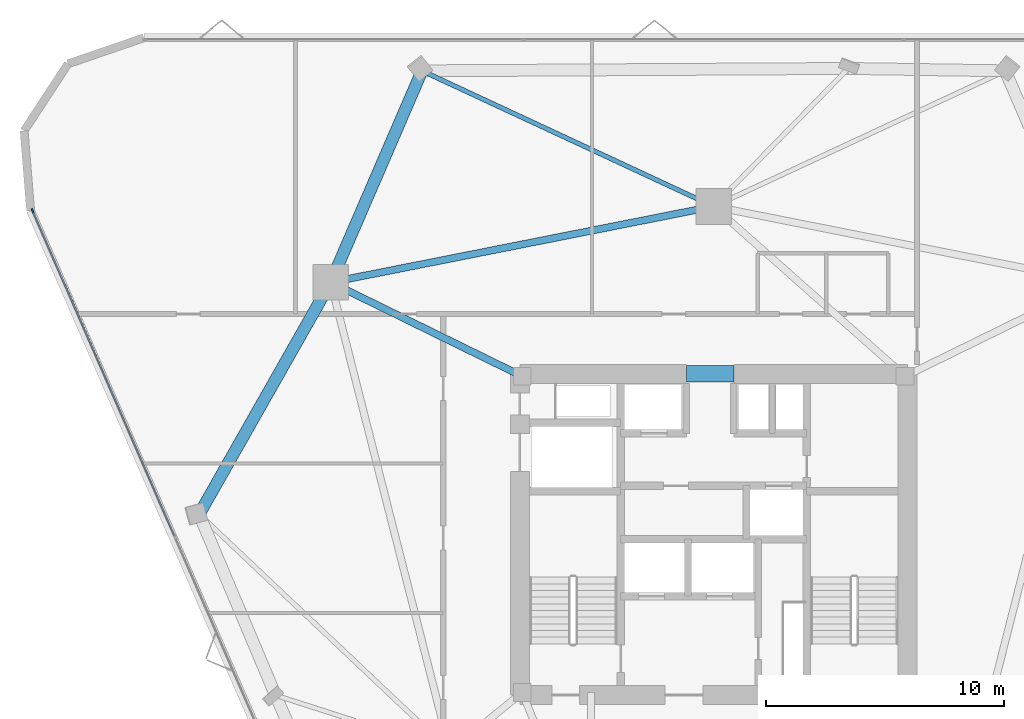
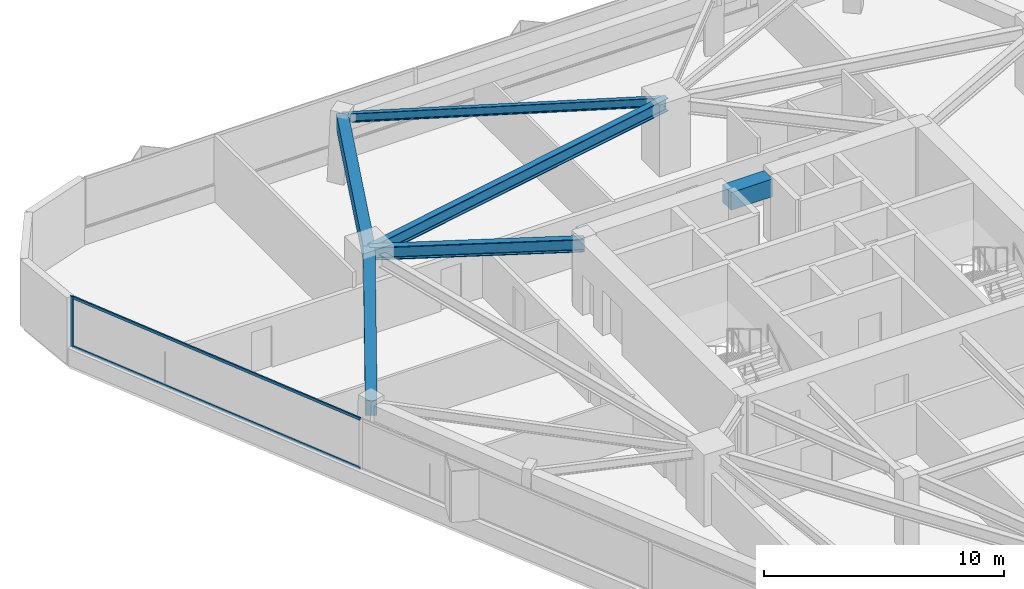
# One storey, part 5 of 14: 6 beams, 3 members, 1 element without a shape of its own.
"""IFC4 building model written with IfcOpenShell, lengths in metres."""

from ifc_helpers import new_model, si_unit, direction, frame, origin, origin_2d, place, context, subcontext, project, spatial, rectangle, i_section, extrude, material, layer, layer_set, material_profile, profile_set, type_object, element, aggregate, save


model = new_model("IFC4")

# Units and contexts
model_context = context("Model", 3, precision=1e-05, world=origin(), true_north=direction((0.0, 1.0)))
body_context = subcontext(model_context, "Body", "Model", "MODEL_VIEW")
ifc_project = project(units=[si_unit("LENGTHUNIT", "METRE"), si_unit("AREAUNIT", "SQUARE_METRE"), si_unit("VOLUMEUNIT", "CUBIC_METRE"), si_unit("PLANEANGLEUNIT", "RADIAN"), si_unit("MASSUNIT", "GRAM", prefix="KILO")], contexts=[model_context])

# Site, building, storey
site_placement = place(None, origin())
site = spatial("IfcSite", under=ifc_project, at=site_placement, CompositionType="ELEMENT")
building_placement = place(site_placement, origin())
building = spatial("IfcBuilding", under=site, at=building_placement, Name="Talyreon Biosciences Tower", CompositionType="ELEMENT")
storey_placement = place(building_placement, frame((0.0, 0.0, 141.800048828125)))
storey = spatial("IfcBuildingStorey", under=building, at=storey_placement, Name="L37", CompositionType="ELEMENT", Elevation=141.800048828125)

# Curtain wall, members
ifc_material_1 = material(Name="Thermally broken aluminium and low-E glazing", Category="aluminium")
ifc_layer = layer(ifc_material_1, 0.18505859375)
ifc_layer_set = layer_set([ifc_layer], Name="Thermally broken aluminium and low-E glazing")
curtain_wall_type = type_object("IfcCurtainWallType", Name="CurtainWall_Zone3Bioprocess", PredefinedType="NOTDEFINED", material=ifc_layer_set)
curtain_wall_placement = place(storey_placement, origin())
curtain_wall = element("IfcCurtainWall", 1, at=curtain_wall_placement, inside=storey, type_object=curtain_wall_type, Name="L37 Unitised Curtain Wall FCW-L37-00", PredefinedType="NOTDEFINED")
ifc_material_2 = material(Name="Anodised thermally broken aluminium", Category="aluminium")
ifc_material_profile_1 = material_profile(ifc_material_2, rectangle(XDim=0.06494140625, YDim=0.179931640625, at=origin_2d()), Name="ALUM MULLION 65x180")
ifc_profile_set_1 = profile_set([ifc_material_profile_1], Name="Anodised thermally broken aluminium")
member_type_1 = type_object("IfcMemberType", Name="CWMullion_65x180", PredefinedType="MULLION", material=ifc_profile_set_1)
member_1_placement = place(storey_placement, frame((37.362548828125, 81.609130859375, 0.81005859375), z_axis=(0.0, 0.0, 1.0), x_axis=(-0.916566441856, -0.399882429801, 0.0)))
member_1 = element("IfcMember", 2, at=member_1_placement, type_object=member_type_1, Name="CW4 mullion 5", PredefinedType="MULLION", context=body_context, shape_type="SweptSolid", body=[
    extrude(rectangle(XDim=0.06494140625, YDim=0.179931640625, at=origin_2d()), origin(), (0.0, 0.0, 1.0), 2.56494140625),
])
ifc_material_profile_2 = material_profile(ifc_material_2, rectangle(XDim=0.06494140625, YDim=0.139892578125, at=origin_2d()), Name="ALUM TRANSOM 65x140")
ifc_profile_set_2 = profile_set([ifc_material_profile_2], Name="Anodised thermally broken aluminium")
member_type_2 = type_object("IfcMemberType", Name="CWTransom_65x140", PredefinedType="USERDEFINED", material=ifc_profile_set_2)
member_2_placement = place(storey_placement, frame((43.325927734375, 67.940185546875, 0.842529296875), z_axis=(-0.39988306059, 0.916566166653, 0.0), x_axis=(-0.916566166653, -0.39988306059, 0.0)))
member_2 = element("IfcMember", 3, at=member_2_placement, type_object=member_type_2, Name="CW4 transom 4.1", ObjectType="TRANSOM", PredefinedType="USERDEFINED", context=body_context, shape_type="SweptSolid", body=[
    extrude(rectangle(XDim=0.06494140625, YDim=0.139892578125, at=origin_2d()), origin(), (0.0, 0.0, 1.0), 14.88037109375),
])
member_3_placement = place(storey_placement, frame((43.325927734375, 67.940185546875, 3.342529296875), z_axis=(-0.39988306059, 0.916566166653, 0.0), x_axis=(-0.916566166653, -0.39988306059, 0.0)))
member_3 = element("IfcMember", 4, at=member_3_placement, type_object=member_type_2, Name="CW4 transom 4.2", ObjectType="TRANSOM", PredefinedType="USERDEFINED", context=body_context, shape_type="SweptSolid", body=[
    extrude(rectangle(XDim=0.06494140625, YDim=0.139892578125, at=origin_2d()), origin(), (0.0, 0.0, 1.0), 14.88037109375),
])
aggregate(curtain_wall, [member_1, member_2, member_3])

# Beams
ifc_material_3 = material(Name="Concrete C60/75", Category="concrete")
ifc_material_profile_3 = material_profile(ifc_material_3, rectangle(XDim=0.699951171875, YDim=0.89990234375, at=origin_2d()), Name="RCB 700x900")
ifc_profile_set_3 = profile_set([ifc_material_profile_3], Name="Concrete C60/75")
beam_type_1 = type_object("IfcBeamType", Name="CoreCouplingLintel_700x900", PredefinedType="LINTEL", material=ifc_profile_set_3)
beam_1_placement = place(storey_placement, frame((64.85009765625, 74.75, 2.925048828125), z_axis=(1.0, 0.0, 0.0), x_axis=(0.0, 1.0, 0.0)))
element("IfcBeam", 5, at=beam_1_placement, inside=storey, type_object=beam_type_1, Name="L37 Core Coupling Lintel", PredefinedType="LINTEL", context=body_context, shape_type="SweptSolid", body=[
    extrude(rectangle(XDim=0.699951171875, YDim=0.89990234375, at=origin_2d()), origin(), (0.0, 0.0, 1.0), 2.0),
])
ifc_material_4 = material(Name="Precast concrete C45/55", Category="concrete")
ifc_material_profile_4 = material_profile(ifc_material_4, rectangle(XDim=0.5, YDim=0.780029296875, at=origin_2d()), Name="RCB 500x780")
ifc_profile_set_4 = profile_set([ifc_material_profile_4], Name="Precast concrete C45/55")
beam_type_2 = type_object("IfcBeamType", Name="ExpressedSpandrel_500x780", PredefinedType="SPANDREL", material=ifc_profile_set_4)
beam_2_placement = place(storey_placement, frame((53.738037109375, 87.49169921875, 2.98486328125), z_axis=(-0.396448568558, -0.918056933141, 0.0), x_axis=(0.918056933141, -0.396448568558, 0.0)))
element("IfcBeam", 6, at=beam_2_placement, inside=storey, type_object=beam_type_2, Name="L37 Expressed Horizontal Concrete Spandrel 08", PredefinedType="SPANDREL", context=body_context, shape_type="SweptSolid", body=[
    extrude(rectangle(XDim=0.5, YDim=0.780029296875, at=origin_2d()), origin(), (0.0, 0.0, 1.0), 9.686767578125),
])
beam_3_placement = place(storey_placement, frame((49.897705078125, 78.5986328125, 2.98486328125), z_axis=(-0.493348220157, -0.869831899661, 0.0), x_axis=(0.869831899661, -0.493348220157, 0.0)))
element("IfcBeam", 7, at=beam_3_placement, inside=storey, type_object=beam_type_2, Name="L37 Expressed Horizontal Concrete Spandrel 09", PredefinedType="SPANDREL", context=body_context, shape_type="SweptSolid", body=[
    extrude(rectangle(XDim=0.5, YDim=0.780029296875, at=origin_2d()), origin(), (0.0, 0.0, 1.0), 11.212158203125),
])
ifc_material_5 = material(Name="Steel SM355", Category="steel")
ifc_material_profile_5 = material_profile(ifc_material_5, i_section(OverallWidth=0.300048828125, OverallDepth=0.64990234375, WebThickness=0.01611328125, FlangeThickness=0.031005859375, FilletRadius=0.027099609375, at=origin_2d()), Name="HE650B")
ifc_profile_set_5 = profile_set([ifc_material_profile_5], Name="Steel SM355")
beam_type_3 = type_object("IfcBeamType", Name="SteelBeam_HE650B", PredefinedType="BEAM", material=ifc_profile_set_5)
beam_4_placement = place(storey_placement, frame((66.0, 81.788818359375, 3.050048828125), z_axis=(-0.980933730698, -0.194342522311, 0.0), x_axis=(0.194342522311, -0.980933730698, 0.0)))
element("IfcBeam", 8, at=beam_4_placement, inside=storey, type_object=beam_type_3, Name="L37 Mega-Ring Girder 4", PredefinedType="BEAM", context=body_context, shape_type="SweptSolid", body=[
    extrude(i_section(OverallWidth=0.300048828125, OverallDepth=0.64990234375, WebThickness=0.01611328125, FlangeThickness=0.031005859375, FilletRadius=0.027099609375, at=origin_2d()), origin(), (0.0, 0.0, 1.0), 16.415283203125),
])
beam_5_placement = place(storey_placement, frame((57.949951171875, 74.64990234375, 3.050048828125), z_axis=(-0.897852360314, 0.440296648952, 0.0), x_axis=(-0.440296648952, -0.897852360314, 0.0)))
element("IfcBeam", 9, at=beam_5_placement, inside=storey, type_object=beam_type_3, Name="L37 Radial Primary Girder 5", PredefinedType="BEAM", context=body_context, shape_type="SweptSolid", body=[
    extrude(i_section(OverallWidth=0.300048828125, OverallDepth=0.64990234375, WebThickness=0.01611328125, FlangeThickness=0.031005859375, FilletRadius=0.027099609375, at=origin_2d()), origin(), (0.0, 0.0, 1.0), 8.96826171875),
])
ifc_material_profile_6 = material_profile(ifc_material_5, i_section(OverallWidth=0.18994140625, OverallDepth=0.449951171875, WebThickness=0.009521484375, FlangeThickness=0.0146484375, FilletRadius=0.02099609375, at=origin_2d()), Name="IPE450")
ifc_profile_set_6 = profile_set([ifc_material_profile_6], Name="Steel SM355")
beam_type_4 = type_object("IfcBeamType", Name="SteelJoist_IPE450", PredefinedType="JOIST", material=ifc_profile_set_6)
beam_6_placement = place(storey_placement, frame((66.0, 81.788818359375, 3.14990234375), z_axis=(-0.906731226018, 0.421709003655, 0.0), x_axis=(-0.421709003655, -0.906731226018, 0.0)))
element("IfcBeam", 10, at=beam_6_placement, inside=storey, type_object=beam_type_4, Name="L37 Radial Composite Floor Joist PC-N2", PredefinedType="JOIST", context=body_context, shape_type="SweptSolid", body=[
    extrude(i_section(OverallWidth=0.18994140625, OverallDepth=0.449951171875, WebThickness=0.009521484375, FlangeThickness=0.0146484375, FilletRadius=0.02099609375, at=origin_2d()), origin(), (0.0, 0.0, 1.0), 13.523193359375),
])

save(model, "model.ifc")
